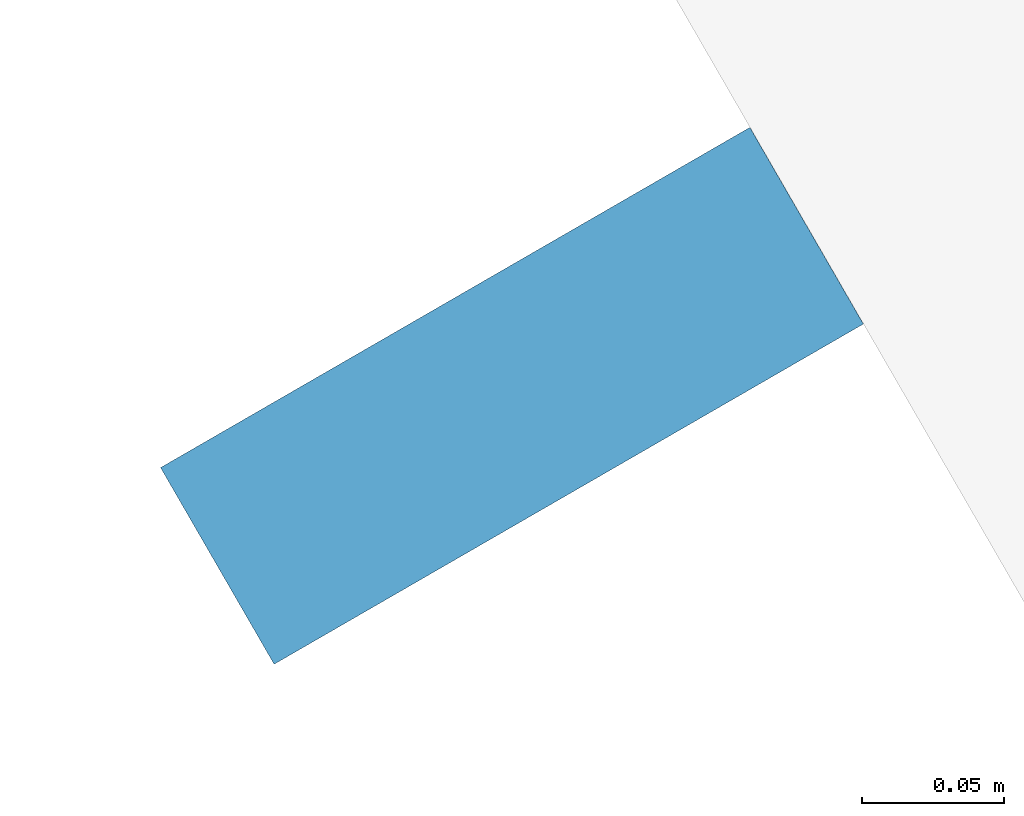
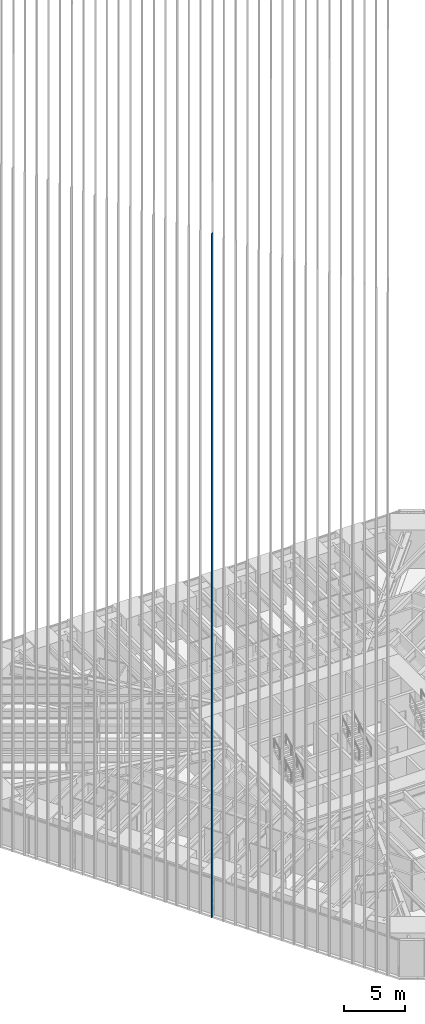
# One storey, part 46 of 256: 1 member, 1 element without a shape of its own.
"""IFC4 building model written with IfcOpenShell, lengths in metres."""

from ifc_helpers import new_model, si_unit, direction, frame, origin, origin_2d, place, context, subcontext, project, spatial, rectangle, extrude, material, material_profile, profile_set, type_object, element, aggregate, save


model = new_model("IFC4")

# Units and contexts
model_context = context("Model", 3, precision=1e-05, world=origin(), true_north=direction((0.0, 1.0)))
body_context = subcontext(model_context, "Body", "Model", "MODEL_VIEW")
ifc_project = project(units=[si_unit("LENGTHUNIT", "METRE"), si_unit("AREAUNIT", "SQUARE_METRE"), si_unit("VOLUMEUNIT", "CUBIC_METRE"), si_unit("PLANEANGLEUNIT", "RADIAN"), si_unit("MASSUNIT", "GRAM", prefix="KILO")], contexts=[model_context])

# Site, building, storey
site_placement = place(None, origin())
site = spatial("IfcSite", under=ifc_project, at=site_placement, CompositionType="ELEMENT")
building_placement = place(site_placement, origin())
building = spatial("IfcBuilding", under=site, at=building_placement, Name="Sandreach Pilgrim Tower", CompositionType="ELEMENT")
storey_placement = place(building_placement, frame((0.0, 0.0, 23.0)))
storey = spatial("IfcBuildingStorey", under=building, at=storey_placement, Name="L04", CompositionType="ELEMENT", Elevation=23.0)

# Curtain wall, member
ifc_material_1 = material(Name="Aluminium framed curtain wall", Category="aluminium")
curtain_wall_type = type_object("IfcCurtainWallType", Name="Hostel tower curtain wall", PredefinedType="NOTDEFINED", material=ifc_material_1)
curtain_wall_placement = place(storey_placement, origin())
curtain_wall = element("IfcCurtainWall", 1, at=curtain_wall_placement, inside=storey, type_object=curtain_wall_type, Name="CW-1 L04 SW", PredefinedType="NOTDEFINED")
ifc_material_2 = material(Name="Extruded terracotta on aluminium core", Category="masonry")
ifc_material_profile = material_profile(ifc_material_2, rectangle(XDim=0.080078125, YDim=0.239990234375, at=origin_2d()), Name="TBW 80X240")
ifc_profile_set = profile_set([ifc_material_profile], Name="Extruded terracotta on aluminium core")
member_type = type_object("IfcMemberType", Name="Terracotta baguette west", PredefinedType="USERDEFINED", material=ifc_profile_set)
member_placement = place(storey_placement, frame((-19.99755859375, -14.1005859375, 0.0), z_axis=(0.0, 0.0, 1.0), x_axis=(-0.5, 0.866025403784, 0.0)))
member = element("IfcMember", 2, at=member_placement, type_object=member_type, Name="Baguette Z1 SW16", ObjectType="BAGUETTE", PredefinedType="USERDEFINED", context=body_context, shape_type="SweptSolid", body=[
    extrude(rectangle(XDim=0.080078125, YDim=0.239990234375, at=origin_2d()), origin(), (0.0, 0.0, 1.0), 68.239990234375),
])
aggregate(curtain_wall, [member])

save(model, "model.ifc")
